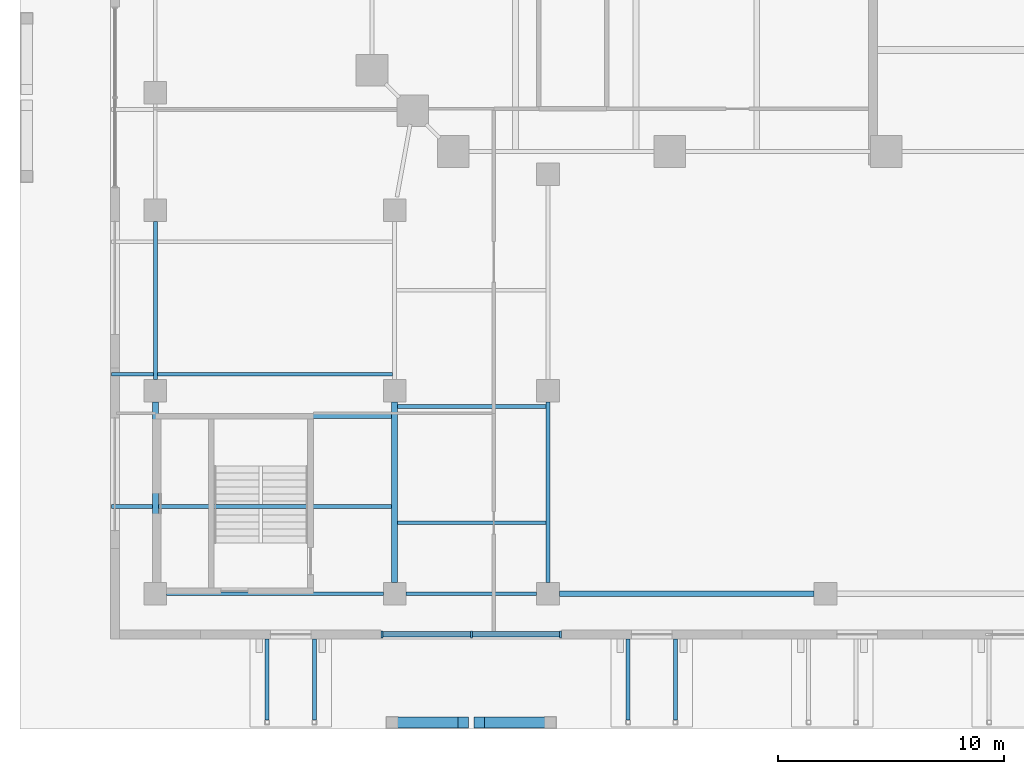
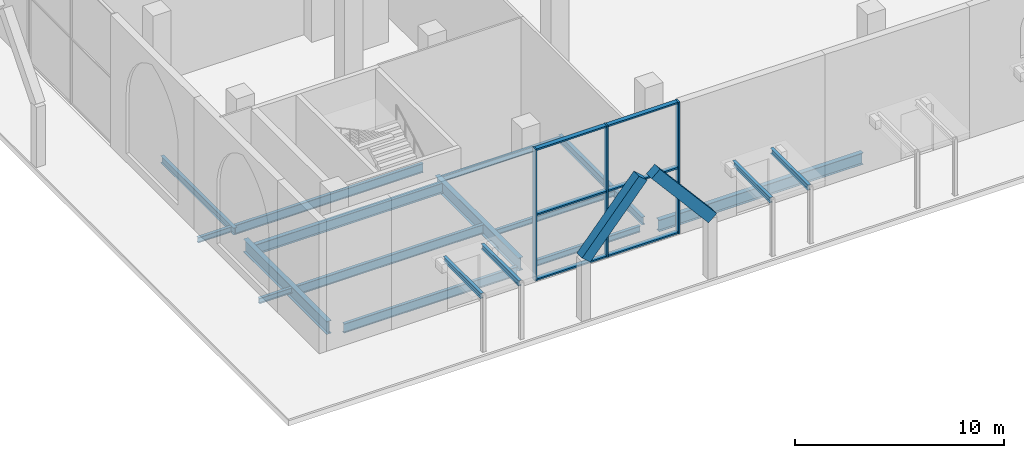
# One storey, part 14 of 38: 18 beams, 11 members, 1 element without a shape of its own.
"""IFC4 building model written with IfcOpenShell, lengths in metres."""

from ifc_helpers import new_model, si_unit, direction, frame, origin, origin_2d, place, context, subcontext, project, spatial, rectangle, i_section, extrude, material, material_profile, profile_set, type_object, element, aggregate, save


model = new_model("IFC4")

# Units and contexts
model_context = context("Model", 3, precision=1e-05, world=origin(), true_north=direction((0.0, 1.0)))
body_context = subcontext(model_context, "Body", "Model", "MODEL_VIEW")
ifc_project = project(units=[si_unit("LENGTHUNIT", "METRE"), si_unit("AREAUNIT", "SQUARE_METRE"), si_unit("VOLUMEUNIT", "CUBIC_METRE"), si_unit("PLANEANGLEUNIT", "RADIAN"), si_unit("MASSUNIT", "GRAM", prefix="KILO")], contexts=[model_context])

# Site, building, storey
site_placement = place(None, origin())
site = spatial("IfcSite", under=ifc_project, at=site_placement, CompositionType="ELEMENT")
building_placement = place(site_placement, origin())
building = spatial("IfcBuilding", under=site, at=building_placement, Name="Ogive Exchange Tower", CompositionType="ELEMENT")
storey_placement = place(building_placement, origin())
storey = spatial("IfcBuildingStorey", under=building, at=storey_placement, Name="L00", CompositionType="ELEMENT", Elevation=0.0)

# Members
ifc_material_1 = material(Name="Concrete C70/85", Category="concrete")
ifc_material_profile_1 = material_profile(ifc_material_1, rectangle(XDim=0.5, YDim=0.60009765625, at=origin_2d()), Name="PC 500x600")
ifc_profile_set_1 = profile_set([ifc_material_profile_1], Name="Concrete C70/85")
member_type_1 = type_object("IfcMemberType", Name="Arch rib 500x600", PredefinedType="USERDEFINED", material=ifc_profile_set_1)
for number, where, z_axis, x_axis, name in (
    (1, (-31.5, -55.699951171875, 3.5), (0.64925670005, 0.0, 0.760569350842), (0.0, 1.0, 0.0), "Arch rib"),
    (2, (-24.5, -55.699951171875, 3.5), (-0.64925670005, 0.0, 0.760569350842), (0.0, -1.0, 0.0), "Arch rib"),
):
    element("IfcMember", number, at=place(storey_placement, frame(where, z_axis=z_axis, x_axis=x_axis)), inside=storey, type_object=member_type_1, Name=name, ObjectType="ARCH RIB", PredefinedType="USERDEFINED", context=body_context, shape_type="SweptSolid", body=[
        extrude(rectangle(XDim=0.5, YDim=0.60009765625, at=origin_2d()), origin(), (0.0, 0.0, 1.0), 4.8515625),
    ])

# Curtain wall, members
ifc_material_2 = material(Name="Anodised aluminium and clear glass", Category="aluminium")
curtain_wall_type = type_object("IfcCurtainWallType", Name="Exchange hall glazing", PredefinedType="NOTDEFINED", material=ifc_material_2)
curtain_wall_placement = place(storey_placement, origin())
curtain_wall = element("IfcCurtainWall", 3, at=curtain_wall_placement, inside=storey, type_object=curtain_wall_type, Name="Exchange hall glazing run HG3", PredefinedType="NOTDEFINED")
ifc_material_3 = material(Name="Anodised aluminium", Category="aluminium")
ifc_material_profile_2 = material_profile(ifc_material_3, rectangle(XDim=0.300048828125, YDim=0.090087890625, at=origin_2d()), Name="AL 90x300")
ifc_profile_set_2 = profile_set([ifc_material_profile_2], Name="Anodised aluminium")
member_type_2 = type_object("IfcMemberType", Name="Exchange hall glazing mullion 90 x 300", PredefinedType="MULLION", material=ifc_profile_set_2)
member_1_placement = place(storey_placement, frame((-31.955078125, -51.800048828125, 0.0), z_axis=(0.0, 0.0, 1.0), x_axis=(0.0, 1.0, 0.0)))
member_1 = element("IfcMember", 4, at=member_1_placement, type_object=member_type_2, Name="HG3 mullion 1", PredefinedType="MULLION", context=body_context, shape_type="SweptSolid", body=[
    extrude(rectangle(XDim=0.300048828125, YDim=0.090087890625, at=origin_2d()), origin(), (0.0, 0.0, 1.0), 7.699951171875),
])
member_2_placement = place(storey_placement, frame((-28.0, -51.800048828125, 0.0), z_axis=(0.0, 0.0, 1.0), x_axis=(0.0, 1.0, 0.0)))
member_2 = element("IfcMember", 5, at=member_2_placement, type_object=member_type_2, Name="HG3 mullion 2", PredefinedType="MULLION", context=body_context, shape_type="SweptSolid", body=[
    extrude(rectangle(XDim=0.300048828125, YDim=0.090087890625, at=origin_2d()), origin(), (0.0, 0.0, 1.0), 7.699951171875),
])
member_3_placement = place(storey_placement, frame((-24.044921875, -51.800048828125, 0.0), z_axis=(0.0, 0.0, 1.0), x_axis=(0.0, 1.0, 0.0)))
member_3 = element("IfcMember", 6, at=member_3_placement, type_object=member_type_2, Name="HG3 mullion 3", PredefinedType="MULLION", context=body_context, shape_type="SweptSolid", body=[
    extrude(rectangle(XDim=0.300048828125, YDim=0.090087890625, at=origin_2d()), origin(), (0.0, 0.0, 1.0), 7.699951171875),
])
ifc_material_profile_3 = material_profile(ifc_material_3, rectangle(XDim=0.25, YDim=0.090087890625, at=origin_2d()), Name="AL 90x250")
ifc_profile_set_3 = profile_set([ifc_material_profile_3], Name="Anodised aluminium")
member_type_3 = type_object("IfcMemberType", Name="Exchange hall glazing transom 90 x 250", PredefinedType="USERDEFINED", material=ifc_profile_set_3)
member_4_placement = place(storey_placement, frame((-31.909912109375, -51.800048828125, 0.044921875), z_axis=(1.0, 0.0, 0.0), x_axis=(0.0, 1.0, 0.0)))
member_4 = element("IfcMember", 7, at=member_4_placement, type_object=member_type_3, Name="HG3 transom 1.1", ObjectType="TRANSOM", PredefinedType="USERDEFINED", context=body_context, shape_type="SweptSolid", body=[
    extrude(rectangle(XDim=0.25, YDim=0.090087890625, at=origin_2d()), origin(), (0.0, 0.0, 1.0), 3.864990234375),
])
member_5_placement = place(storey_placement, frame((-31.909912109375, -51.800048828125, 3.85009765625), z_axis=(1.0, 0.0, 0.0), x_axis=(0.0, 1.0, 0.0)))
member_5 = element("IfcMember", 8, at=member_5_placement, type_object=member_type_3, Name="HG3 transom 1.2", ObjectType="TRANSOM", PredefinedType="USERDEFINED", context=body_context, shape_type="SweptSolid", body=[
    extrude(rectangle(XDim=0.25, YDim=0.090087890625, at=origin_2d()), origin(), (0.0, 0.0, 1.0), 3.864990234375),
])
member_6_placement = place(storey_placement, frame((-31.909912109375, -51.800048828125, 7.655029296875), z_axis=(1.0, 0.0, 0.0), x_axis=(0.0, 1.0, 0.0)))
member_6 = element("IfcMember", 9, at=member_6_placement, type_object=member_type_3, Name="HG3 transom 1.3", ObjectType="TRANSOM", PredefinedType="USERDEFINED", context=body_context, shape_type="SweptSolid", body=[
    extrude(rectangle(XDim=0.25, YDim=0.090087890625, at=origin_2d()), origin(), (0.0, 0.0, 1.0), 3.864990234375),
])
member_7_placement = place(storey_placement, frame((-27.955078125, -51.800048828125, 0.044921875), z_axis=(1.0, 0.0, 0.0), x_axis=(0.0, 1.0, 0.0)))
member_7 = element("IfcMember", 10, at=member_7_placement, type_object=member_type_3, Name="HG3 transom 2.1", ObjectType="TRANSOM", PredefinedType="USERDEFINED", context=body_context, shape_type="SweptSolid", body=[
    extrude(rectangle(XDim=0.25, YDim=0.090087890625, at=origin_2d()), origin(), (0.0, 0.0, 1.0), 3.864990234375),
])
member_8_placement = place(storey_placement, frame((-27.955078125, -51.800048828125, 3.85009765625), z_axis=(1.0, 0.0, 0.0), x_axis=(0.0, 1.0, 0.0)))
member_8 = element("IfcMember", 11, at=member_8_placement, type_object=member_type_3, Name="HG3 transom 2.2", ObjectType="TRANSOM", PredefinedType="USERDEFINED", context=body_context, shape_type="SweptSolid", body=[
    extrude(rectangle(XDim=0.25, YDim=0.090087890625, at=origin_2d()), origin(), (0.0, 0.0, 1.0), 3.864990234375),
])
member_9_placement = place(storey_placement, frame((-27.955078125, -51.800048828125, 7.655029296875), z_axis=(1.0, 0.0, 0.0), x_axis=(0.0, 1.0, 0.0)))
member_9 = element("IfcMember", 12, at=member_9_placement, type_object=member_type_3, Name="HG3 transom 2.3", ObjectType="TRANSOM", PredefinedType="USERDEFINED", context=body_context, shape_type="SweptSolid", body=[
    extrude(rectangle(XDim=0.25, YDim=0.090087890625, at=origin_2d()), origin(), (0.0, 0.0, 1.0), 3.864990234375),
])
aggregate(curtain_wall, [member_1, member_2, member_3, member_4, member_5, member_6, member_7, member_8, member_9])

# Beams
ifc_material_4 = material(Name="Steel ASTM A992 Gr50", Category="steel")
ifc_material_profile_4 = material_profile(ifc_material_4, i_section(OverallWidth=0.1650390625, OverallDepth=0.31005859375, WebThickness=0.005859375, FlangeThickness=0.009765625, at=origin_2d()), Name="W310x38.7")
ifc_profile_set_4 = profile_set([ifc_material_profile_4], Name="Steel ASTM A992 Gr50")
beam_type_1 = type_object("IfcBeamType", Name="Floor beam W310x38.7", PredefinedType="JOIST", material=ifc_profile_set_4)
beam_1_placement = place(storey_placement, frame((-43.949951171875, -46.13330078125, -0.455078125), z_axis=(1.0, 0.0, 0.0), x_axis=(0.0, 1.0, 0.0)))
element("IfcBeam", 13, at=beam_1_placement, inside=storey, type_object=beam_type_1, Name="Floor beam", PredefinedType="JOIST", context=body_context, shape_type="SweptSolid", body=[
    extrude(i_section(OverallWidth=0.1650390625, OverallDepth=0.31005859375, WebThickness=0.005859375, FlangeThickness=0.009765625, at=origin_2d()), origin(), (0.0, 0.0, 1.0), 1.81640625),
])
beam_2_placement = place(storey_placement, frame((-43.949951171875, -40.2666015625, -0.455078125), z_axis=(1.0, 0.0, 0.0), x_axis=(0.0, 1.0, 0.0)))
element("IfcBeam", 14, at=beam_2_placement, inside=storey, type_object=beam_type_1, Name="Floor beam", PredefinedType="JOIST", context=body_context, shape_type="SweptSolid", body=[
    extrude(i_section(OverallWidth=0.1650390625, OverallDepth=0.31005859375, WebThickness=0.005859375, FlangeThickness=0.009765625, at=origin_2d()), origin(), (0.0, 0.0, 1.0), 1.86083984375),
])
for number, where, z_axis, x_axis, name in (
    (15, (-31.2666015625, -46.85009765625, -0.455078125), (1.0, 0.0, 0.0), (0.0, 1.0, 0.0), "Floor beam"),
    (16, (-31.2666015625, -41.699951171875, -0.455078125), (1.0, 0.0, 0.0), (0.0, 1.0, 0.0), "Floor beam"),
):
    element("IfcBeam", number, at=place(storey_placement, frame(where, z_axis=z_axis, x_axis=x_axis)), inside=storey, type_object=beam_type_1, Name=name, PredefinedType="JOIST", context=body_context, shape_type="SweptSolid", body=[
        extrude(i_section(OverallWidth=0.1650390625, OverallDepth=0.31005859375, WebThickness=0.005859375, FlangeThickness=0.009765625, at=origin_2d()), origin(), (0.0, 0.0, 1.0), 6.571044921875),
    ])
ifc_material_profile_5 = material_profile(ifc_material_4, i_section(OverallWidth=0.1669921875, OverallDepth=0.535888671875, WebThickness=0.01025390625, FlangeThickness=0.0166015625, at=origin_2d()), Name="W530x85")
ifc_profile_set_5 = profile_set([ifc_material_profile_5], Name="Steel ASTM A992 Gr50")
beam_type_2 = type_object("IfcBeamType", Name="Floor beam W530x85", PredefinedType="JOIST", material=ifc_profile_set_5)
beam_3_placement = place(storey_placement, frame((-41.866455078125, -46.13330078125, -0.568115234375), z_axis=(1.0, 0.0, 0.0), x_axis=(0.0, 1.0, 0.0)))
element("IfcBeam", 17, at=beam_3_placement, inside=storey, type_object=beam_type_2, Name="Floor beam", PredefinedType="JOIST", context=body_context, shape_type="SweptSolid", body=[
    extrude(i_section(OverallWidth=0.1669921875, OverallDepth=0.535888671875, WebThickness=0.01025390625, FlangeThickness=0.0166015625, at=origin_2d()), origin(), (0.0, 0.0, 1.0), 10.3330078125),
])
beam_4_placement = place(storey_placement, frame((-41.910888671875, -40.2666015625, -0.568115234375), z_axis=(1.0, 0.0, 0.0), x_axis=(0.0, 1.0, 0.0)))
element("IfcBeam", 18, at=beam_4_placement, inside=storey, type_object=beam_type_2, Name="Floor beam", PredefinedType="JOIST", context=body_context, shape_type="SweptSolid", body=[
    extrude(i_section(OverallWidth=0.1669921875, OverallDepth=0.535888671875, WebThickness=0.01025390625, FlangeThickness=0.0166015625, at=origin_2d()), origin(), (0.0, 0.0, 1.0), 10.421875),
])
ifc_material_profile_6 = material_profile(ifc_material_4, i_section(OverallWidth=0.1650390625, OverallDepth=0.31005859375, WebThickness=0.005859375, FlangeThickness=0.009765625, at=origin_2d()), Name="W310x38.7")
ifc_profile_set_6 = profile_set([ifc_material_profile_6], Name="Steel ASTM A992 Gr50")
beam_type_3 = type_object("IfcBeamType", Name="Girder W310x38.7", PredefinedType="BEAM", material=ifc_profile_set_6)
for number, where, z_axis, x_axis, name in (
    (19, (-37.050048828125, -52.0, 3.14501953125), (0.0, -1.0, 0.0), (1.0, 0.0, 0.0), "Canopy beam"),
    (20, (-34.949951171875, -52.0, 3.14501953125), (0.0, -1.0, 0.0), (1.0, 0.0, 0.0), "Canopy beam"),
    (21, (-21.050048828125, -52.0, 3.14501953125), (0.0, -1.0, 0.0), (1.0, 0.0, 0.0), "Canopy beam"),
    (22, (-18.949951171875, -52.0, 3.14501953125), (0.0, -1.0, 0.0), (1.0, 0.0, 0.0), "Canopy beam"),
):
    element("IfcBeam", number, at=place(storey_placement, frame(where, z_axis=z_axis, x_axis=x_axis)), inside=storey, type_object=beam_type_3, Name=name, PredefinedType="BEAM", context=body_context, shape_type="SweptSolid", body=[
        extrude(i_section(OverallWidth=0.1650390625, OverallDepth=0.31005859375, WebThickness=0.005859375, FlangeThickness=0.009765625, at=origin_2d()), origin(), (0.0, 0.0, 1.0), 3.598388671875),
    ])
ifc_material_profile_7 = material_profile(ifc_material_4, i_section(OverallWidth=0.1708984375, OverallDepth=0.35595703125, WebThickness=0.00732421875, FlangeThickness=0.01171875, at=origin_2d()), Name="W360x51")
ifc_profile_set_7 = profile_set([ifc_material_profile_7], Name="Steel ASTM A992 Gr50")
beam_type_4 = type_object("IfcBeamType", Name="Girder W360x51", PredefinedType="BEAM", material=ifc_profile_set_7)
beam_5_placement = place(storey_placement, frame((-30.89990234375, -50.0, -0.47802734375), z_axis=(1.0, 0.0, 0.0), x_axis=(0.0, 1.0, 0.0)))
element("IfcBeam", 23, at=beam_5_placement, inside=storey, type_object=beam_type_4, Name="Girder", PredefinedType="BEAM", context=body_context, shape_type="SweptSolid", body=[
    extrude(i_section(OverallWidth=0.1708984375, OverallDepth=0.35595703125, WebThickness=0.00732421875, FlangeThickness=0.01171875, at=origin_2d()), origin(), (0.0, 0.0, 1.0), 5.7998046875),
])
ifc_material_profile_8 = material_profile(ifc_material_4, i_section(OverallWidth=0.177978515625, OverallDepth=0.406005859375, WebThickness=0.0078125, FlangeThickness=0.0126953125, at=origin_2d()), Name="W410x60")
ifc_profile_set_8 = profile_set([ifc_material_profile_8], Name="Steel ASTM A992 Gr50")
beam_type_5 = type_object("IfcBeamType", Name="Girder W410x60", PredefinedType="BEAM", material=ifc_profile_set_8)
beam_6_placement = place(storey_placement, frame((-42.0, -40.5, -0.5029296875), z_axis=(0.0, 1.0, 0.0), x_axis=(-1.0, 0.0, 0.0)))
element("IfcBeam", 24, at=beam_6_placement, inside=storey, type_object=beam_type_5, Name="Girder", PredefinedType="BEAM", context=body_context, shape_type="SweptSolid", body=[
    extrude(i_section(OverallWidth=0.177978515625, OverallDepth=0.406005859375, WebThickness=0.0078125, FlangeThickness=0.0126953125, at=origin_2d()), origin(), (0.0, 0.0, 1.0), 7.0),
])
ifc_material_profile_9 = material_profile(ifc_material_4, i_section(OverallWidth=0.19091796875, OverallDepth=0.45703125, WebThickness=0.009033203125, FlangeThickness=0.014404296875, at=origin_2d()), Name="W460x74")
ifc_profile_set_9 = profile_set([ifc_material_profile_9], Name="Steel ASTM A992 Gr50")
beam_type_6 = type_object("IfcBeamType", Name="Girder W460x74", PredefinedType="BEAM", material=ifc_profile_set_9)
beam_7_placement = place(storey_placement, frame((-24.60009765625, -49.5, -0.528564453125), z_axis=(0.0, 1.0, 0.0), x_axis=(-1.0, 0.0, 0.0)))
element("IfcBeam", 25, at=beam_7_placement, inside=storey, type_object=beam_type_6, Name="Girder", PredefinedType="BEAM", context=body_context, shape_type="SweptSolid", body=[
    extrude(i_section(OverallWidth=0.19091796875, OverallDepth=0.45703125, WebThickness=0.009033203125, FlangeThickness=0.014404296875, at=origin_2d()), origin(), (0.0, 0.0, 1.0), 8.0),
])
ifc_material_profile_10 = material_profile(ifc_material_4, i_section(OverallWidth=0.1669921875, OverallDepth=0.535888671875, WebThickness=0.01025390625, FlangeThickness=0.0166015625, at=origin_2d()), Name="W530x85")
ifc_profile_set_10 = profile_set([ifc_material_profile_10], Name="Steel ASTM A992 Gr50")
beam_type_7 = type_object("IfcBeamType", Name="Girder W530x85", PredefinedType="BEAM", material=ifc_profile_set_10)
beam_8_placement = place(storey_placement, frame((-41.5, -50.0, -0.568115234375), z_axis=(1.0, 0.0, 0.0), x_axis=(0.0, 1.0, 0.0)))
element("IfcBeam", 26, at=beam_8_placement, inside=storey, type_object=beam_type_7, Name="Girder", PredefinedType="BEAM", context=body_context, shape_type="SweptSolid", body=[
    extrude(i_section(OverallWidth=0.1669921875, OverallDepth=0.535888671875, WebThickness=0.01025390625, FlangeThickness=0.0166015625, at=origin_2d()), origin(), (0.0, 0.0, 1.0), 9.60009765625),
])
ifc_material_profile_11 = material_profile(ifc_material_4, i_section(OverallWidth=0.22802734375, OverallDepth=0.60205078125, WebThickness=0.010498046875, FlangeThickness=0.014892578125, at=origin_2d()), Name="W610x101")
ifc_profile_set_11 = profile_set([ifc_material_profile_11], Name="Steel ASTM A992 Gr50")
beam_type_8 = type_object("IfcBeamType", Name="Girder W610x101", PredefinedType="BEAM", material=ifc_profile_set_11)
beam_9_placement = place(storey_placement, frame((-41.922607421875, -42.125, -0.60107421875), z_axis=(1.0, 0.0, 0.0), x_axis=(0.0, 1.0, 0.0)))
element("IfcBeam", 27, at=beam_9_placement, inside=storey, type_object=beam_type_8, Name="Girder", PredefinedType="BEAM", context=body_context, shape_type="SweptSolid", body=[
    extrude(i_section(OverallWidth=0.22802734375, OverallDepth=0.60205078125, WebThickness=0.010498046875, FlangeThickness=0.014892578125, at=origin_2d()), origin(), (0.0, 0.0, 1.0), 10.445068359375),
])
ifc_material_profile_12 = material_profile(ifc_material_4, i_section(OverallWidth=0.25390625, OverallDepth=0.677978515625, WebThickness=0.01171875, FlangeThickness=0.016357421875, at=origin_2d()), Name="W690x125")
ifc_profile_set_12 = profile_set([ifc_material_profile_12], Name="Steel ASTM A992 Gr50")
beam_type_9 = type_object("IfcBeamType", Name="Girder W690x125", PredefinedType="BEAM", material=ifc_profile_set_12)
beam_10_placement = place(storey_placement, frame((-24.10009765625, -50.0, -0.638916015625), z_axis=(1.0, 0.0, 0.0), x_axis=(0.0, 1.0, 0.0)))
element("IfcBeam", 28, at=beam_10_placement, inside=storey, type_object=beam_type_9, Name="Girder", PredefinedType="BEAM", context=body_context, shape_type="SweptSolid", body=[
    extrude(i_section(OverallWidth=0.25390625, OverallDepth=0.677978515625, WebThickness=0.01171875, FlangeThickness=0.016357421875, at=origin_2d()), origin(), (0.0, 0.0, 1.0), 11.300048828125),
])
ifc_material_profile_13 = material_profile(ifc_material_4, i_section(OverallWidth=0.26708984375, OverallDepth=0.75390625, WebThickness=0.01318359375, FlangeThickness=0.01708984375, at=origin_2d()), Name="W760x147")
ifc_profile_set_13 = profile_set([ifc_material_profile_13], Name="Steel ASTM A992 Gr50")
beam_type_10 = type_object("IfcBeamType", Name="Girder W760x147", PredefinedType="BEAM", material=ifc_profile_set_13)
for number, where, z_axis, x_axis, name in (
    (29, (-31.39990234375, -49.5, -0.677001953125), (0.0, 1.0, 0.0), (-1.0, 0.0, 0.0), "Girder"),
    (30, (-42.0, -49.5, -0.677001953125), (0.0, 1.0, 0.0), (-1.0, 0.0, 0.0), "Girder"),
):
    element("IfcBeam", number, at=place(storey_placement, frame(where, z_axis=z_axis, x_axis=x_axis)), inside=storey, type_object=beam_type_10, Name=name, PredefinedType="BEAM", context=body_context, shape_type="SweptSolid", body=[
        extrude(i_section(OverallWidth=0.26708984375, OverallDepth=0.75390625, WebThickness=0.01318359375, FlangeThickness=0.01708984375, at=origin_2d()), origin(), (0.0, 0.0, 1.0), 8.0),
    ])

save(model, "model.ifc")
